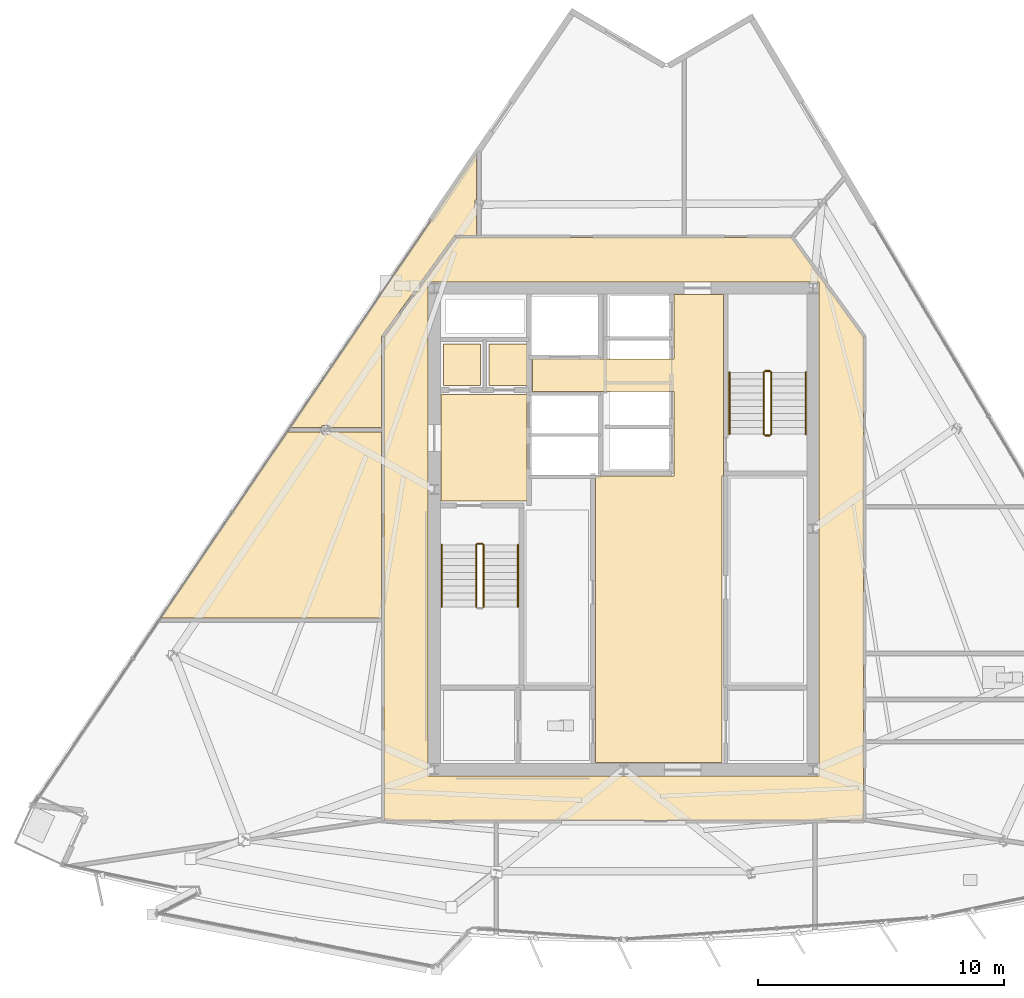
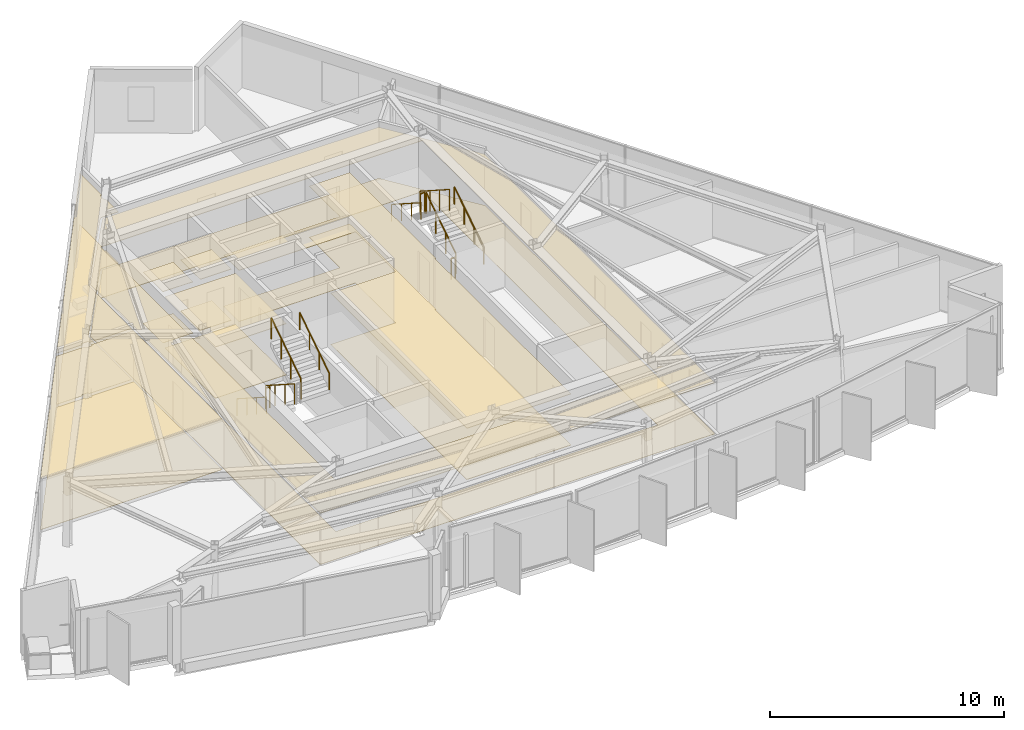
# One storey, part 11 of 13: 14 coverings, 11 railings.
"""IFC4 building model written with IfcOpenShell, lengths in metres."""

from ifc_helpers import new_model, si_unit, direction, frame, origin, origin_2d, place, context, subcontext, project, spatial, polyline, circle, outline, extrude, material, layer, layer_set, type_object, element, save


model = new_model("IFC4")

# Units and contexts
model_context = context("Model", 3, precision=1e-05, world=origin(), true_north=direction((0.0, 1.0)))
body_context = subcontext(model_context, "Body", "Model", "MODEL_VIEW")
ifc_project = project(units=[si_unit("LENGTHUNIT", "METRE"), si_unit("AREAUNIT", "SQUARE_METRE"), si_unit("VOLUMEUNIT", "CUBIC_METRE"), si_unit("PLANEANGLEUNIT", "RADIAN"), si_unit("MASSUNIT", "GRAM", prefix="KILO")], contexts=[model_context])

# Site, building, storey
site_placement = place(None, origin())
site = spatial("IfcSite", under=ifc_project, at=site_placement, CompositionType="ELEMENT")
building_placement = place(site_placement, origin())
building = spatial("IfcBuilding", under=site, at=building_placement, Name="Savorim Split Tower", CompositionType="ELEMENT")
storey_placement = place(building_placement, frame((0.0, 0.0, 272.39990234375)))
storey = spatial("IfcBuildingStorey", under=building, at=storey_placement, Name="L72", CompositionType="ELEMENT", Elevation=272.39990234375)

# Coverings
ifc_material_1 = material(Name="Mineral Fibre Acoustic Ceiling")
ifc_layer_1 = layer(ifc_material_1, 0.02490234375)
ifc_layer_set_1 = layer_set([ifc_layer_1], Name="COV-CEIL-25")
covering_type_1 = type_object("IfcCoveringType", Name="COV-CEIL-25", PredefinedType="CEILING", material=ifc_layer_set_1)
covering_1_placement = place(storey_placement, frame((0.0, 0.0, 2.670166015625)))
element("IfcCovering", 1, at=covering_1_placement, inside=storey, type_object=covering_type_1, Name="L72 Firefighting Lift Lobby Acoustic Ceiling", PredefinedType="CEILING", context=body_context, shape_type="SweptSolid", body=[
    extrude(outline(polyline([(-7.429931640625, 5.8701171875), (-7.429931640625, 1.530029296875), (-3.929931640625, 1.530029296875), (-3.929931640625, 5.8701171875), (-7.429931640625, 5.8701171875)])), origin(), (0.0, 0.0, 1.0), 0.02490234375),
])
covering_2_placement = place(storey_placement, frame((0.0, 0.0, 2.670166015625)))
element("IfcCovering", 2, at=covering_2_placement, inside=storey, type_object=covering_type_1, Name="L72 Electrical Riser Acoustic Ceiling", PredefinedType="CEILING", context=body_context, shape_type="SweptSolid", body=[
    extrude(outline(polyline([(-7.320068359375, 7.919921875), (-7.320068359375, 6.22998046875), (-5.830078125, 6.22998046875), (-5.830078125, 7.919921875), (-7.320068359375, 7.919921875)])), origin(), (0.0, 0.0, 1.0), 0.02490234375),
])
covering_3_placement = place(storey_placement, frame((0.0, 0.0, 2.670166015625)))
element("IfcCovering", 3, at=covering_3_placement, inside=storey, type_object=covering_type_1, Name="L72 Telecom Riser Acoustic Ceiling", PredefinedType="CEILING", context=body_context, shape_type="SweptSolid", body=[
    extrude(outline(polyline([(-5.469970703125, 7.919921875), (-5.469970703125, 6.22998046875), (-3.929931640625, 6.22998046875), (-3.929931640625, 7.919921875), (-5.469970703125, 7.919921875)])), origin(), (0.0, 0.0, 1.0), 0.02490234375),
])
covering_4_placement = place(storey_placement, frame((0.0, 0.0, 2.670166015625)))
element("IfcCovering", 4, at=covering_4_placement, inside=storey, type_object=covering_type_1, Name="L72 Lift Lobby Acoustic Ceiling", PredefinedType="CEILING", context=body_context, shape_type="SweptSolid", body=[
    extrude(outline(polyline([(2.050048828125, 2.550048828125), (-1.14990234375, 2.550048828125), (-1.14990234375, -9.10009765625), (4.0, -9.10009765625), (4.0, 2.550048828125), (4.050048828125, 2.550048828125), (4.050048828125, 5.97998046875), (4.050048828125, 7.300048828125), (4.050048828125, 9.929931640625), (2.050048828125, 9.929931640625), (2.050048828125, 7.300048828125), (-3.699951171875, 7.300048828125), (-3.699951171875, 5.97998046875), (2.050048828125, 5.97998046875), (2.050048828125, 2.550048828125)])), origin(), (0.0, 0.0, 1.0), 0.02490234375),
])
covering_5_placement = place(storey_placement, frame((0.0, 0.0, 2.670166015625)))
element("IfcCovering", 5, at=covering_5_placement, inside=storey, type_object=covering_type_1, Name="L72 Corridor Acoustic Ceiling", PredefinedType="CEILING", context=body_context, shape_type="SweptSolid", body=[
    extrude(outline(polyline([(6.809326171875, 12.2490234375), (6.8046875, 12.249755859375), (6.800048828125, 12.25), (-6.800048828125, 12.25), (-6.8046875, 12.249755859375), (-6.809326171875, 12.2490234375), (-6.81396484375, 12.248046875), (-6.818359375, 12.24658203125), (-6.82275390625, 12.244384765625), (-6.826904296875, 12.2421875), (-6.830810546875, 12.239501953125), (-6.834228515625, 12.236328125), (-6.83740234375, 12.23291015625), (-6.840576171875, 12.229248046875), (-9.740478515625, 8.229248046875), (-9.743408203125, 8.22509765625), (-9.74560546875, 8.22021484375), (-9.74755859375, 8.21533203125), (-9.748779296875, 8.21044921875), (-9.749755859375, 8.205078125), (-9.75, 8.199951171875), (-9.75, -11.39990234375), (-9.749755859375, -11.40478515625), (-9.7490234375, -11.409912109375), (-9.747802734375, -11.41455078125), (-9.74609375, -11.419189453125), (-9.744140625, -11.423583984375), (-9.74169921875, -11.427734375), (-9.73876953125, -11.431640625), (-9.7353515625, -11.435302734375), (-9.731689453125, -11.438720703125), (-9.727783203125, -11.441650390625), (-9.7236328125, -11.444091796875), (-9.718994140625, -11.4462890625), (-9.714599609375, -11.44775390625), (-9.709716796875, -11.448974609375), (-9.704833984375, -11.44970703125), (-9.699951171875, -11.449951171875), (9.699951171875, -11.449951171875), (9.704833984375, -11.44970703125), (9.709716796875, -11.448974609375), (9.714599609375, -11.44775390625), (9.718994140625, -11.4462890625), (9.7236328125, -11.444091796875), (9.727783203125, -11.441650390625), (9.731689453125, -11.438720703125), (9.7353515625, -11.435302734375), (9.73876953125, -11.431640625), (9.74169921875, -11.427734375), (9.744140625, -11.423583984375), (9.74609375, -11.419189453125), (9.747802734375, -11.41455078125), (9.7490234375, -11.409912109375), (9.749755859375, -11.40478515625), (9.75, -11.39990234375), (9.75, 8.199951171875), (9.749755859375, 8.205078125), (9.748779296875, 8.21044921875), (9.74755859375, 8.21533203125), (9.74560546875, 8.22021484375), (9.743408203125, 8.22509765625), (9.740478515625, 8.229248046875), (6.840576171875, 12.229248046875), (6.83740234375, 12.23291015625), (6.834228515625, 12.236328125), (6.830810546875, 12.239501953125), (6.826904296875, 12.2421875), (6.82275390625, 12.244384765625), (6.818359375, 12.24658203125), (6.81396484375, 12.248046875), (6.809326171875, 12.2490234375)]), holes=[polyline([(-7.949951171875, 10.449951171875), (-7.949951171875, -9.64990234375), (7.949951171875, -9.64990234375), (7.949951171875, 10.449951171875), (-7.949951171875, 10.449951171875)])]), origin(), (0.0, 0.0, 1.0), 0.02490234375),
])
covering_6_placement = place(storey_placement, frame((0.0, 0.0, 2.670166015625)))
element("IfcCovering", 6, at=covering_6_placement, inside=storey, type_object=covering_type_1, Name="L72 Quiet Study Room Acoustic Ceiling", PredefinedType="CEILING", context=body_context, shape_type="SweptSolid", body=[
    extrude(outline(polyline([(-13.5615234375, 4.342529296875), (-13.656494140625, 4.342529296875), (-13.656494140625, 4.38671875), (-18.832763671875, -3.22216796875), (-9.840087890625, -3.22216796875), (-9.840087890625, 4.342529296875), (-11.948486328125, 4.342529296875), (-11.948486328125, 4.262451171875), (-12.277587890625, 4.262451171875), (-12.277587890625, 4.342529296875), (-13.5615234375, 4.342529296875)])), origin(), (0.0, 0.0, 1.0), 0.02490234375),
])
covering_7_placement = place(storey_placement, frame((0.0, 0.0, 2.670166015625)))
element("IfcCovering", 7, at=covering_7_placement, inside=storey, type_object=covering_type_1, Name="L72 Shared Bathroom Acoustic Ceiling", PredefinedType="CEILING", context=body_context, shape_type="SweptSolid", body=[
    extrude(outline(polyline([(-6.813232421875, 12.33935546875), (-6.800048828125, 12.340087890625), (-5.97998046875, 12.340087890625), (-5.97998046875, 13.417724609375), (-6.04931640625, 13.417724609375), (-6.04931640625, 13.767822265625), (-5.97998046875, 13.767822265625), (-5.97998046875, 15.67138671875), (-13.5576171875, 4.532470703125), (-12.277587890625, 4.532470703125), (-12.277587890625, 4.612548828125), (-11.948486328125, 4.612548828125), (-11.948486328125, 4.532470703125), (-9.840087890625, 4.532470703125), (-9.840087890625, 8.199951171875), (-9.839111328125, 8.214599609375), (-9.8369140625, 8.22900390625), (-9.833251953125, 8.2431640625), (-9.827880859375, 8.2568359375), (-9.8212890625, 8.27001953125), (-9.813232421875, 8.2822265625), (-6.913330078125, 12.2822265625), (-6.905029296875, 12.29248046875), (-6.89599609375, 12.302001953125), (-6.885986328125, 12.310546875), (-6.875, 12.318115234375), (-6.863525390625, 12.32470703125), (-6.8515625, 12.330078125), (-6.839111328125, 12.33447265625), (-6.826416015625, 12.33740234375), (-6.813232421875, 12.33935546875)])), origin(), (0.0, 0.0, 1.0), 0.02490234375),
])
ifc_material_2 = material(Name="Porcelain Stoneware Flooring", Category="masonry")
ifc_layer_2 = layer(ifc_material_2, 0.02001953125)
ifc_layer_set_2 = layer_set([ifc_layer_2], Name="COV-FLOR-20")
covering_type_2 = type_object("IfcCoveringType", Name="COV-FLOR-20", PredefinedType="FLOORING", material=ifc_layer_set_2)
covering_8_placement = place(storey_placement, origin())
element("IfcCovering", 8, at=covering_8_placement, inside=storey, type_object=covering_type_2, Name="L72 Firefighting Lift Lobby Porcelain Flooring", PredefinedType="FLOORING", context=body_context, shape_type="SweptSolid", body=[
    extrude(outline(polyline([(-7.429931640625, 5.8701171875), (-7.429931640625, 1.530029296875), (-3.929931640625, 1.530029296875), (-3.929931640625, 5.8701171875), (-7.429931640625, 5.8701171875)])), origin(), (0.0, 0.0, 1.0), 0.02001953125),
])
covering_9_placement = place(storey_placement, origin())
element("IfcCovering", 9, at=covering_9_placement, inside=storey, type_object=covering_type_2, Name="L72 Electrical Riser Porcelain Flooring", PredefinedType="FLOORING", context=body_context, shape_type="SweptSolid", body=[
    extrude(outline(polyline([(-7.320068359375, 7.919921875), (-7.320068359375, 6.22998046875), (-5.830078125, 6.22998046875), (-5.830078125, 7.919921875), (-7.320068359375, 7.919921875)])), origin(), (0.0, 0.0, 1.0), 0.02001953125),
])
covering_10_placement = place(storey_placement, origin())
element("IfcCovering", 10, at=covering_10_placement, inside=storey, type_object=covering_type_2, Name="L72 Telecom Riser Porcelain Flooring", PredefinedType="FLOORING", context=body_context, shape_type="SweptSolid", body=[
    extrude(outline(polyline([(-5.469970703125, 7.919921875), (-5.469970703125, 6.22998046875), (-3.929931640625, 6.22998046875), (-3.929931640625, 7.919921875), (-5.469970703125, 7.919921875)])), origin(), (0.0, 0.0, 1.0), 0.02001953125),
])
covering_11_placement = place(storey_placement, origin())
element("IfcCovering", 11, at=covering_11_placement, inside=storey, type_object=covering_type_2, Name="L72 Lift Lobby Porcelain Flooring", PredefinedType="FLOORING", context=body_context, shape_type="SweptSolid", body=[
    extrude(outline(polyline([(2.050048828125, 2.550048828125), (-1.14990234375, 2.550048828125), (-1.14990234375, -9.10009765625), (4.0, -9.10009765625), (4.0, 2.550048828125), (4.050048828125, 2.550048828125), (4.050048828125, 5.97998046875), (4.050048828125, 7.300048828125), (4.050048828125, 9.929931640625), (2.050048828125, 9.929931640625), (2.050048828125, 7.300048828125), (-3.699951171875, 7.300048828125), (-3.699951171875, 5.97998046875), (2.050048828125, 5.97998046875), (2.050048828125, 2.550048828125)])), origin(), (0.0, 0.0, 1.0), 0.02001953125),
])
covering_12_placement = place(storey_placement, origin())
element("IfcCovering", 12, at=covering_12_placement, inside=storey, type_object=covering_type_2, Name="L72 Corridor Porcelain Flooring", PredefinedType="FLOORING", context=body_context, shape_type="SweptSolid", body=[
    extrude(outline(polyline([(6.809326171875, 12.2490234375), (6.8046875, 12.249755859375), (6.800048828125, 12.25), (-6.800048828125, 12.25), (-6.8046875, 12.249755859375), (-6.809326171875, 12.2490234375), (-6.81396484375, 12.248046875), (-6.818359375, 12.24658203125), (-6.82275390625, 12.244384765625), (-6.826904296875, 12.2421875), (-6.830810546875, 12.239501953125), (-6.834228515625, 12.236328125), (-6.83740234375, 12.23291015625), (-6.840576171875, 12.229248046875), (-9.740478515625, 8.229248046875), (-9.743408203125, 8.22509765625), (-9.74560546875, 8.22021484375), (-9.74755859375, 8.21533203125), (-9.748779296875, 8.21044921875), (-9.749755859375, 8.205078125), (-9.75, 8.199951171875), (-9.75, -11.39990234375), (-9.749755859375, -11.40478515625), (-9.7490234375, -11.409912109375), (-9.747802734375, -11.41455078125), (-9.74609375, -11.419189453125), (-9.744140625, -11.423583984375), (-9.74169921875, -11.427734375), (-9.73876953125, -11.431640625), (-9.7353515625, -11.435302734375), (-9.731689453125, -11.438720703125), (-9.727783203125, -11.441650390625), (-9.7236328125, -11.444091796875), (-9.718994140625, -11.4462890625), (-9.714599609375, -11.44775390625), (-9.709716796875, -11.448974609375), (-9.704833984375, -11.44970703125), (-9.699951171875, -11.449951171875), (9.699951171875, -11.449951171875), (9.704833984375, -11.44970703125), (9.709716796875, -11.448974609375), (9.714599609375, -11.44775390625), (9.718994140625, -11.4462890625), (9.7236328125, -11.444091796875), (9.727783203125, -11.441650390625), (9.731689453125, -11.438720703125), (9.7353515625, -11.435302734375), (9.73876953125, -11.431640625), (9.74169921875, -11.427734375), (9.744140625, -11.423583984375), (9.74609375, -11.419189453125), (9.747802734375, -11.41455078125), (9.7490234375, -11.409912109375), (9.749755859375, -11.40478515625), (9.75, -11.39990234375), (9.75, 8.199951171875), (9.749755859375, 8.205078125), (9.748779296875, 8.21044921875), (9.74755859375, 8.21533203125), (9.74560546875, 8.22021484375), (9.743408203125, 8.22509765625), (9.740478515625, 8.229248046875), (6.840576171875, 12.229248046875), (6.83740234375, 12.23291015625), (6.834228515625, 12.236328125), (6.830810546875, 12.239501953125), (6.826904296875, 12.2421875), (6.82275390625, 12.244384765625), (6.818359375, 12.24658203125), (6.81396484375, 12.248046875), (6.809326171875, 12.2490234375)]), holes=[polyline([(-7.949951171875, 10.449951171875), (-7.949951171875, -9.64990234375), (7.949951171875, -9.64990234375), (7.949951171875, 10.449951171875), (-7.949951171875, 10.449951171875)])]), origin(), (0.0, 0.0, 1.0), 0.02001953125),
])
covering_13_placement = place(storey_placement, origin())
element("IfcCovering", 13, at=covering_13_placement, inside=storey, type_object=covering_type_2, Name="L72 Quiet Study Room Porcelain Flooring", PredefinedType="FLOORING", context=body_context, shape_type="SweptSolid", body=[
    extrude(outline(polyline([(-13.5615234375, 4.342529296875), (-13.656494140625, 4.342529296875), (-13.656494140625, 4.38671875), (-18.832763671875, -3.22216796875), (-9.840087890625, -3.22216796875), (-9.840087890625, 4.342529296875), (-11.948486328125, 4.342529296875), (-11.948486328125, 4.262451171875), (-12.277587890625, 4.262451171875), (-12.277587890625, 4.342529296875), (-13.5615234375, 4.342529296875)])), origin(), (0.0, 0.0, 1.0), 0.02001953125),
])
covering_14_placement = place(storey_placement, origin())
element("IfcCovering", 14, at=covering_14_placement, inside=storey, type_object=covering_type_2, Name="L72 Shared Bathroom Porcelain Flooring", PredefinedType="FLOORING", context=body_context, shape_type="SweptSolid", body=[
    extrude(outline(polyline([(-6.813232421875, 12.33935546875), (-6.800048828125, 12.340087890625), (-5.97998046875, 12.340087890625), (-5.97998046875, 13.417724609375), (-6.04931640625, 13.417724609375), (-6.04931640625, 13.767822265625), (-5.97998046875, 13.767822265625), (-5.97998046875, 15.67138671875), (-13.5576171875, 4.532470703125), (-12.277587890625, 4.532470703125), (-12.277587890625, 4.612548828125), (-11.948486328125, 4.612548828125), (-11.948486328125, 4.532470703125), (-9.840087890625, 4.532470703125), (-9.840087890625, 8.199951171875), (-9.839111328125, 8.214599609375), (-9.8369140625, 8.22900390625), (-9.833251953125, 8.2431640625), (-9.827880859375, 8.2568359375), (-9.8212890625, 8.27001953125), (-9.813232421875, 8.2822265625), (-6.913330078125, 12.2822265625), (-6.905029296875, 12.29248046875), (-6.89599609375, 12.302001953125), (-6.885986328125, 12.310546875), (-6.875, 12.318115234375), (-6.863525390625, 12.32470703125), (-6.8515625, 12.330078125), (-6.839111328125, 12.33447265625), (-6.826416015625, 12.33740234375), (-6.813232421875, 12.33935546875)])), origin(), (0.0, 0.0, 1.0), 0.02001953125),
])

# Railings
ifc_material_3 = material(Name="Galvanised Painted Steel Balustrade", Category="steel")
railing_type_1 = type_object("IfcRailingType", Name="RLG-HR-900", PredefinedType="HANDRAIL", material=ifc_material_3)
railing_1_placement = place(storey_placement, frame((-7.39990234375, -0.25, 0.18017578125)))
element("IfcRailing", 15, at=railing_1_placement, inside=storey, type_object=railing_type_1, Name="L72 ST-1 stair handrail 1", PredefinedType="HANDRAIL", context=body_context, shape_type="SweptSolid", body=[
    extrude(circle(Radius=0.02392578125, at=origin_2d()), frame((0.0, 0.0, 0.8759765625), z_axis=(0.0, -0.841199657755, 0.540724639528), x_axis=(1.0, 0.0, 0.0)), (0.0, 0.0, 1.0), 2.995849609375),
    extrude(circle(Radius=0.02099609375, at=origin_2d()), origin(), (0.0, 0.0, 1.0), 0.851806640625),
    extrude(circle(Radius=0.02099609375, at=origin_2d()), frame((0.0, -0.840087890625, 0.5400390625)), (0.0, 0.0, 1.0), 0.851806640625),
    extrude(circle(Radius=0.02099609375, at=origin_2d()), frame((0.0, -1.679931640625, 1.079833984375)), (0.0, 0.0, 1.0), 0.851806640625),
    extrude(circle(Radius=0.02099609375, at=origin_2d()), frame((0.0, -2.52001953125, 1.619873046875)), (0.0, 0.0, 1.0), 0.851806640625),
])
railing_2_placement = place(storey_placement, frame((-4.300048828125, -2.77001953125, 1.97998046875)))
element("IfcRailing", 16, at=railing_2_placement, inside=storey, type_object=railing_type_1, Name="L72 ST-1 stair handrail 2", PredefinedType="HANDRAIL", context=body_context, shape_type="SweptSolid", body=[
    extrude(circle(Radius=0.02392578125, at=origin_2d()), frame((0.0, 0.0, 0.8759765625), z_axis=(0.0, 0.841162588446, 0.540782303519), x_axis=(-1.0, 0.0, 0.0)), (0.0, 0.0, 1.0), 2.995849609375),
    extrude(circle(Radius=0.02099609375, at=origin_2d()), origin(), (0.0, 0.0, 1.0), 0.851806640625),
    extrude(circle(Radius=0.02099609375, at=origin_2d()), frame((0.0, 0.840087890625, 0.5400390625)), (0.0, 0.0, 1.0), 0.851806640625),
    extrude(circle(Radius=0.02099609375, at=origin_2d()), frame((0.0, 1.679931640625, 1.080078125)), (0.0, 0.0, 1.0), 0.851806640625),
    extrude(circle(Radius=0.02099609375, at=origin_2d()), frame((0.0, 2.52001953125, 1.6201171875)), (0.0, 0.0, 1.0), 0.851806640625),
])
railing_3_placement = place(storey_placement, frame((7.39990234375, 4.25, 0.18017578125)))
element("IfcRailing", 17, at=railing_3_placement, inside=storey, type_object=railing_type_1, Name="L72 ST-2 stair handrail 1", PredefinedType="HANDRAIL", context=body_context, shape_type="SweptSolid", body=[
    extrude(circle(Radius=0.02392578125, at=origin_2d()), frame((0.0, 0.0, 0.8759765625), z_axis=(0.0, 0.841199657755, 0.540724639528), x_axis=(-1.0, 0.0, 0.0)), (0.0, 0.0, 1.0), 2.995849609375),
    extrude(circle(Radius=0.02099609375, at=origin_2d()), origin(), (0.0, 0.0, 1.0), 0.851806640625),
    extrude(circle(Radius=0.02099609375, at=origin_2d()), frame((0.0, 0.840087890625, 0.5400390625)), (0.0, 0.0, 1.0), 0.851806640625),
    extrude(circle(Radius=0.02099609375, at=origin_2d()), frame((0.0, 1.679931640625, 1.079833984375)), (0.0, 0.0, 1.0), 0.851806640625),
    extrude(circle(Radius=0.02099609375, at=origin_2d()), frame((0.0, 2.52001953125, 1.619873046875)), (0.0, 0.0, 1.0), 0.851806640625),
])
railing_4_placement = place(storey_placement, frame((4.300048828125, 6.77001953125, 1.97998046875)))
element("IfcRailing", 18, at=railing_4_placement, inside=storey, type_object=railing_type_1, Name="L72 ST-2 stair handrail 2", PredefinedType="HANDRAIL", context=body_context, shape_type="SweptSolid", body=[
    extrude(circle(Radius=0.02392578125, at=origin_2d()), frame((0.0, 0.0, 0.8759765625), z_axis=(0.0, -0.841162588446, 0.540782303519), x_axis=(1.0, 0.0, 0.0)), (0.0, 0.0, 1.0), 2.995849609375),
    extrude(circle(Radius=0.02099609375, at=origin_2d()), origin(), (0.0, 0.0, 1.0), 0.851806640625),
    extrude(circle(Radius=0.02099609375, at=origin_2d()), frame((0.0, -0.840087890625, 0.5400390625)), (0.0, 0.0, 1.0), 0.851806640625),
    extrude(circle(Radius=0.02099609375, at=origin_2d()), frame((0.0, -1.679931640625, 1.080078125)), (0.0, 0.0, 1.0), 0.851806640625),
    extrude(circle(Radius=0.02099609375, at=origin_2d()), frame((0.0, -2.52001953125, 1.6201171875)), (0.0, 0.0, 1.0), 0.851806640625),
])
railing_type_2 = type_object("IfcRailingType", Name="RLG-STG-1100", PredefinedType="BALUSTRADE", material=ifc_material_3)
railing_5_placement = place(storey_placement, frame((-6.0, -0.25, 0.18017578125)))
element("IfcRailing", 19, at=railing_5_placement, inside=storey, type_object=railing_type_2, Name="L72 ST-1 stair guard 1", PredefinedType="BALUSTRADE", context=body_context, shape_type="SweptSolid", body=[
    extrude(circle(Radius=0.02392578125, at=origin_2d()), frame((0.0, 0.0, 1.076171875), z_axis=(0.0, -0.841199657755, 0.540724639528), x_axis=(1.0, 0.0, 0.0)), (0.0, 0.0, 1.0), 2.995849609375),
    extrude(circle(Radius=0.02099609375, at=origin_2d()), origin(), (0.0, 0.0, 1.0), 1.052001953125),
    extrude(circle(Radius=0.02099609375, at=origin_2d()), frame((0.0, -0.840087890625, 0.5400390625)), (0.0, 0.0, 1.0), 1.052001953125),
    extrude(circle(Radius=0.02099609375, at=origin_2d()), frame((0.0, -1.679931640625, 1.079833984375)), (0.0, 0.0, 1.0), 1.052001953125),
    extrude(circle(Radius=0.02099609375, at=origin_2d()), frame((0.0, -2.52001953125, 1.619873046875)), (0.0, 0.0, 1.0), 1.052001953125),
])
railing_6_placement = place(storey_placement, frame((-5.699951171875, -2.77001953125, 1.97998046875)))
element("IfcRailing", 20, at=railing_6_placement, inside=storey, type_object=railing_type_2, Name="L72 ST-1 stair guard 3", PredefinedType="BALUSTRADE", context=body_context, shape_type="SweptSolid", body=[
    extrude(circle(Radius=0.02392578125, at=origin_2d()), frame((0.0, 0.0, 1.076171875), z_axis=(0.0, 0.841162588446, 0.540782303519), x_axis=(-1.0, 0.0, 0.0)), (0.0, 0.0, 1.0), 2.995849609375),
    extrude(circle(Radius=0.02099609375, at=origin_2d()), origin(), (0.0, 0.0, 1.0), 1.052001953125),
    extrude(circle(Radius=0.02099609375, at=origin_2d()), frame((0.0, 0.840087890625, 0.5400390625)), (0.0, 0.0, 1.0), 1.052001953125),
    extrude(circle(Radius=0.02099609375, at=origin_2d()), frame((0.0, 1.679931640625, 1.080078125)), (0.0, 0.0, 1.0), 1.052001953125),
    extrude(circle(Radius=0.02099609375, at=origin_2d()), frame((0.0, 2.52001953125, 1.6201171875)), (0.0, 0.0, 1.0), 1.052001953125),
])
railing_7_placement = place(storey_placement, frame((-5.949951171875, -0.199951171875, 0.0)))
element("IfcRailing", 21, at=railing_7_placement, inside=storey, type_object=railing_type_2, Name="L72 ST-1 stair guard 4", PredefinedType="BALUSTRADE", context=body_context, shape_type="SweptSolid", body=[
    extrude(circle(Radius=0.02392578125, at=origin_2d()), frame((0.0, 0.0, 1.076171875), z_axis=(1.0, 0.0, 0.0), x_axis=(0.0, 1.0, 0.0)), (0.0, 0.0, 1.0), 0.199951171875),
    extrude(circle(Radius=0.02099609375, at=origin_2d()), origin(), (0.0, 0.0, 1.0), 1.052001953125),
    extrude(circle(Radius=0.02099609375, at=origin_2d()), frame((0.199951171875, 0.0, 0.0)), (0.0, 0.0, 1.0), 1.052001953125),
])
railing_8_placement = place(storey_placement, frame((6.0, 4.25, 0.18017578125)))
element("IfcRailing", 22, at=railing_8_placement, inside=storey, type_object=railing_type_2, Name="L72 ST-2 stair guard 1", PredefinedType="BALUSTRADE", context=body_context, shape_type="SweptSolid", body=[
    extrude(circle(Radius=0.02392578125, at=origin_2d()), frame((0.0, 0.0, 1.076171875), z_axis=(0.0, 0.841199657755, 0.540724639528), x_axis=(-1.0, 0.0, 0.0)), (0.0, 0.0, 1.0), 2.995849609375),
    extrude(circle(Radius=0.02099609375, at=origin_2d()), origin(), (0.0, 0.0, 1.0), 1.052001953125),
    extrude(circle(Radius=0.02099609375, at=origin_2d()), frame((0.0, 0.840087890625, 0.5400390625)), (0.0, 0.0, 1.0), 1.052001953125),
    extrude(circle(Radius=0.02099609375, at=origin_2d()), frame((0.0, 1.679931640625, 1.079833984375)), (0.0, 0.0, 1.0), 1.052001953125),
    extrude(circle(Radius=0.02099609375, at=origin_2d()), frame((0.0, 2.52001953125, 1.619873046875)), (0.0, 0.0, 1.0), 1.052001953125),
])
railing_9_placement = place(storey_placement, frame((5.949951171875, 6.820068359375, 1.800048828125)))
element("IfcRailing", 23, at=railing_9_placement, inside=storey, type_object=railing_type_2, Name="L72 ST-2 stair guard 2", PredefinedType="BALUSTRADE", context=body_context, shape_type="SweptSolid", body=[
    extrude(circle(Radius=0.02392578125, at=origin_2d()), frame((0.0, 0.0, 1.076171875), z_axis=(-1.0, 0.0, 0.0), x_axis=(0.0, -1.0, 0.0)), (0.0, 0.0, 1.0), 0.199951171875),
    extrude(circle(Radius=0.02099609375, at=origin_2d()), origin(), (0.0, 0.0, 1.0), 1.052001953125),
    extrude(circle(Radius=0.02099609375, at=origin_2d()), frame((-0.199951171875, 0.0, 0.0)), (0.0, 0.0, 1.0), 1.052001953125),
])
railing_10_placement = place(storey_placement, frame((5.699951171875, 6.77001953125, 1.97998046875)))
element("IfcRailing", 24, at=railing_10_placement, inside=storey, type_object=railing_type_2, Name="L72 ST-2 stair guard 3", PredefinedType="BALUSTRADE", context=body_context, shape_type="SweptSolid", body=[
    extrude(circle(Radius=0.02392578125, at=origin_2d()), frame((0.0, 0.0, 1.076171875), z_axis=(0.0, -0.841162588446, 0.540782303519), x_axis=(1.0, 0.0, 0.0)), (0.0, 0.0, 1.0), 2.995849609375),
    extrude(circle(Radius=0.02099609375, at=origin_2d()), origin(), (0.0, 0.0, 1.0), 1.052001953125),
    extrude(circle(Radius=0.02099609375, at=origin_2d()), frame((0.0, -0.840087890625, 0.5400390625)), (0.0, 0.0, 1.0), 1.052001953125),
    extrude(circle(Radius=0.02099609375, at=origin_2d()), frame((0.0, -1.679931640625, 1.080078125)), (0.0, 0.0, 1.0), 1.052001953125),
    extrude(circle(Radius=0.02099609375, at=origin_2d()), frame((0.0, -2.52001953125, 1.6201171875)), (0.0, 0.0, 1.0), 1.052001953125),
])
railing_11_placement = place(storey_placement, frame((5.949951171875, 4.199951171875, 0.0)))
element("IfcRailing", 25, at=railing_11_placement, inside=storey, type_object=railing_type_2, Name="L72 ST-2 stair guard 4", PredefinedType="BALUSTRADE", context=body_context, shape_type="SweptSolid", body=[
    extrude(circle(Radius=0.02392578125, at=origin_2d()), frame((0.0, 0.0, 1.076171875), z_axis=(-1.0, 0.0, 0.0), x_axis=(0.0, -1.0, 0.0)), (0.0, 0.0, 1.0), 0.199951171875),
    extrude(circle(Radius=0.02099609375, at=origin_2d()), origin(), (0.0, 0.0, 1.0), 1.052001953125),
    extrude(circle(Radius=0.02099609375, at=origin_2d()), frame((-0.199951171875, 0.0, 0.0)), (0.0, 0.0, 1.0), 1.052001953125),
])

save(model, "model.ifc")
